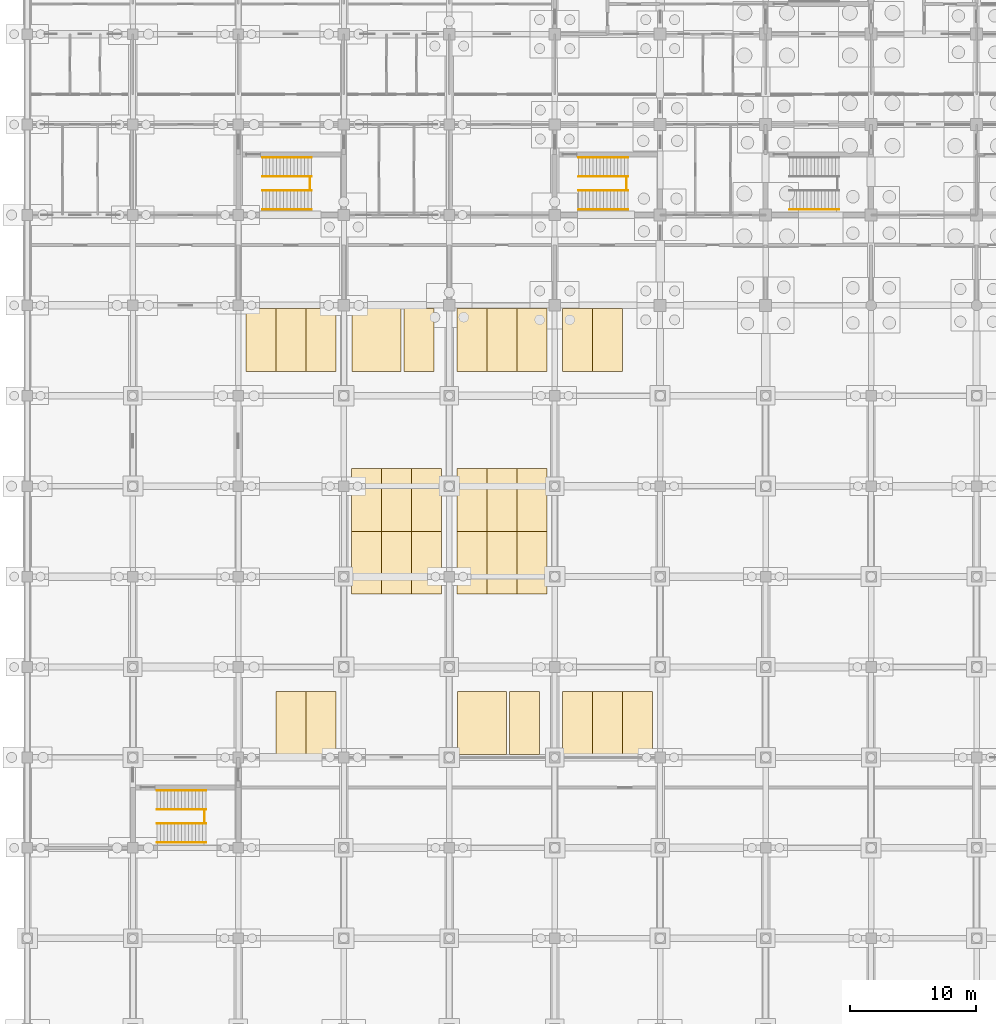
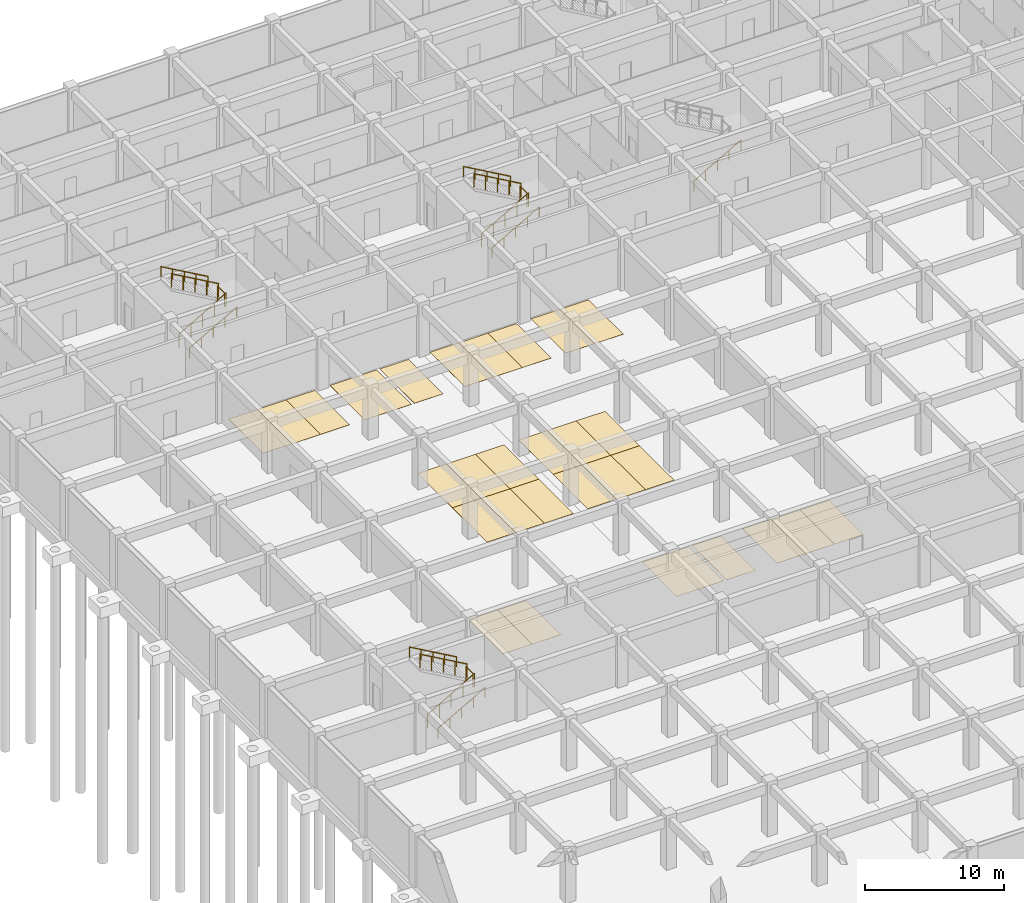
# One storey, part 82 of 85: 29 coverings, 16 railings.
"""IFC4 building model written with IfcOpenShell, lengths in metres."""

from ifc_helpers import new_model, si_unit, direction, frame, origin, origin_2d, place, context, subcontext, project, spatial, polyline, circle, outline, extrude, material, layer, layer_set, type_object, element, save


model = new_model("IFC4")

# Units and contexts
model_context = context("Model", 3, precision=1e-05, world=origin(), true_north=direction((0.0, 1.0)))
body_context = subcontext(model_context, "Body", "Model", "MODEL_VIEW")
ifc_project = project(units=[si_unit("LENGTHUNIT", "METRE"), si_unit("AREAUNIT", "SQUARE_METRE"), si_unit("VOLUMEUNIT", "CUBIC_METRE"), si_unit("PLANEANGLEUNIT", "RADIAN"), si_unit("MASSUNIT", "GRAM", prefix="KILO")], contexts=[model_context])

# Site, building, storey
site_placement = place(None, origin())
site = spatial("IfcSite", under=ifc_project, at=site_placement, CompositionType="ELEMENT")
building_placement = place(site_placement, origin())
building = spatial("IfcBuilding", under=site, at=building_placement, Name="Chengyuan Square Courthouse", CompositionType="ELEMENT")
storey_placement = place(building_placement, frame((0.0, 0.0, -10.199951171875)))
storey = spatial("IfcBuildingStorey", under=building, at=storey_placement, Name="B02", CompositionType="ELEMENT", Elevation=-10.199951171875)

# Coverings
ifc_material_1 = material(Name="Thermoplastic Parking Bay Marking Paint")
ifc_layer_1 = layer(ifc_material_1, 0.010009765625)
ifc_layer_set_1 = layer_set([ifc_layer_1], Name="Thermoplastic Parking Bay Marking Paint")
covering_type_1 = type_object("IfcCoveringType", Name="PKB-01", PredefinedType="FLOORING", material=ifc_layer_set_1)
covering_1_placement = place(storey_placement, origin())
element("IfcCovering", 1, at=covering_1_placement, inside=storey, type_object=covering_type_1, Name="Parking Bay Marking B02-P209", PredefinedType="FLOORING", context=body_context, shape_type="SweptSolid", body=[
    extrude(outline(polyline([(19.800048828125, 43.449951171875), (22.199951171875, 43.449951171875), (22.199951171875, 48.449951171875), (19.800048828125, 48.449951171875), (19.800048828125, 43.449951171875)])), origin(), (0.0, 0.0, 1.0), 0.010009765625),
])
covering_2_placement = place(storey_placement, origin())
element("IfcCovering", 2, at=covering_2_placement, inside=storey, type_object=covering_type_1, Name="Parking Bay Marking B02-P210", PredefinedType="FLOORING", context=body_context, shape_type="SweptSolid", body=[
    extrude(outline(polyline([(22.199951171875, 43.449951171875), (24.60009765625, 43.449951171875), (24.60009765625, 48.449951171875), (22.199951171875, 48.449951171875), (22.199951171875, 43.449951171875)])), origin(), (0.0, 0.0, 1.0), 0.010009765625),
])
covering_3_placement = place(storey_placement, origin())
element("IfcCovering", 3, at=covering_3_placement, inside=storey, type_object=covering_type_1, Name="Parking Bay Marking B02-P211", PredefinedType="FLOORING", context=body_context, shape_type="SweptSolid", body=[
    extrude(outline(polyline([(38.39990234375, 43.449951171875), (40.800048828125, 43.449951171875), (40.800048828125, 48.449951171875), (38.39990234375, 48.449951171875), (38.39990234375, 43.449951171875)])), origin(), (0.0, 0.0, 1.0), 0.010009765625),
])
covering_4_placement = place(storey_placement, origin())
element("IfcCovering", 4, at=covering_4_placement, inside=storey, type_object=covering_type_1, Name="Parking Bay Marking B02-P212", PredefinedType="FLOORING", context=body_context, shape_type="SweptSolid", body=[
    extrude(outline(polyline([(42.60009765625, 43.449951171875), (45.0, 43.449951171875), (45.0, 48.449951171875), (42.60009765625, 48.449951171875), (42.60009765625, 43.449951171875)])), origin(), (0.0, 0.0, 1.0), 0.010009765625),
])
covering_5_placement = place(storey_placement, origin())
element("IfcCovering", 5, at=covering_5_placement, inside=storey, type_object=covering_type_1, Name="Parking Bay Marking B02-P213", PredefinedType="FLOORING", context=body_context, shape_type="SweptSolid", body=[
    extrude(outline(polyline([(45.0, 43.449951171875), (47.39990234375, 43.449951171875), (47.39990234375, 48.449951171875), (45.0, 48.449951171875), (45.0, 43.449951171875)])), origin(), (0.0, 0.0, 1.0), 0.010009765625),
])
covering_6_placement = place(storey_placement, origin())
element("IfcCovering", 6, at=covering_6_placement, inside=storey, type_object=covering_type_1, Name="Parking Bay Marking B02-P214", PredefinedType="FLOORING", context=body_context, shape_type="SweptSolid", body=[
    extrude(outline(polyline([(47.39990234375, 43.449951171875), (49.800048828125, 43.449951171875), (49.800048828125, 48.449951171875), (47.39990234375, 48.449951171875), (47.39990234375, 43.449951171875)])), origin(), (0.0, 0.0, 1.0), 0.010009765625),
])
covering_7_placement = place(storey_placement, origin())
element("IfcCovering", 7, at=covering_7_placement, inside=storey, type_object=covering_type_1, Name="Parking Bay Marking B02-P215", PredefinedType="FLOORING", context=body_context, shape_type="SweptSolid", body=[
    extrude(outline(polyline([(17.39990234375, 73.949951171875), (19.800048828125, 73.949951171875), (19.800048828125, 78.949951171875), (17.39990234375, 78.949951171875), (17.39990234375, 73.949951171875)])), origin(), (0.0, 0.0, 1.0), 0.010009765625),
])
covering_8_placement = place(storey_placement, origin())
element("IfcCovering", 8, at=covering_8_placement, inside=storey, type_object=covering_type_1, Name="Parking Bay Marking B02-P216", PredefinedType="FLOORING", context=body_context, shape_type="SweptSolid", body=[
    extrude(outline(polyline([(19.800048828125, 73.949951171875), (22.199951171875, 73.949951171875), (22.199951171875, 78.949951171875), (19.800048828125, 78.949951171875), (19.800048828125, 73.949951171875)])), origin(), (0.0, 0.0, 1.0), 0.010009765625),
])
covering_9_placement = place(storey_placement, origin())
element("IfcCovering", 9, at=covering_9_placement, inside=storey, type_object=covering_type_1, Name="Parking Bay Marking B02-P217", PredefinedType="FLOORING", context=body_context, shape_type="SweptSolid", body=[
    extrude(outline(polyline([(22.199951171875, 73.949951171875), (24.60009765625, 73.949951171875), (24.60009765625, 78.949951171875), (22.199951171875, 78.949951171875), (22.199951171875, 73.949951171875)])), origin(), (0.0, 0.0, 1.0), 0.010009765625),
])
covering_10_placement = place(storey_placement, origin())
element("IfcCovering", 10, at=covering_10_placement, inside=storey, type_object=covering_type_1, Name="Parking Bay Marking B02-P218", PredefinedType="FLOORING", context=body_context, shape_type="SweptSolid", body=[
    extrude(outline(polyline([(30.0, 73.949951171875), (32.39990234375, 73.949951171875), (32.39990234375, 78.949951171875), (30.0, 78.949951171875), (30.0, 73.949951171875)])), origin(), (0.0, 0.0, 1.0), 0.010009765625),
])
covering_11_placement = place(storey_placement, origin())
element("IfcCovering", 11, at=covering_11_placement, inside=storey, type_object=covering_type_1, Name="Parking Bay Marking B02-P219", PredefinedType="FLOORING", context=body_context, shape_type="SweptSolid", body=[
    extrude(outline(polyline([(34.199951171875, 73.949951171875), (36.60009765625, 73.949951171875), (36.60009765625, 78.949951171875), (34.199951171875, 78.949951171875), (34.199951171875, 73.949951171875)])), origin(), (0.0, 0.0, 1.0), 0.010009765625),
])
covering_12_placement = place(storey_placement, origin())
element("IfcCovering", 12, at=covering_12_placement, inside=storey, type_object=covering_type_1, Name="Parking Bay Marking B02-P220", PredefinedType="FLOORING", context=body_context, shape_type="SweptSolid", body=[
    extrude(outline(polyline([(36.60009765625, 73.949951171875), (39.0, 73.949951171875), (39.0, 78.949951171875), (36.60009765625, 78.949951171875), (36.60009765625, 73.949951171875)])), origin(), (0.0, 0.0, 1.0), 0.010009765625),
])
covering_13_placement = place(storey_placement, origin())
element("IfcCovering", 13, at=covering_13_placement, inside=storey, type_object=covering_type_1, Name="Parking Bay Marking B02-P221", PredefinedType="FLOORING", context=body_context, shape_type="SweptSolid", body=[
    extrude(outline(polyline([(39.0, 73.949951171875), (41.39990234375, 73.949951171875), (41.39990234375, 78.949951171875), (39.0, 78.949951171875), (39.0, 73.949951171875)])), origin(), (0.0, 0.0, 1.0), 0.010009765625),
])
covering_14_placement = place(storey_placement, origin())
element("IfcCovering", 14, at=covering_14_placement, inside=storey, type_object=covering_type_1, Name="Parking Bay Marking B02-P222", PredefinedType="FLOORING", context=body_context, shape_type="SweptSolid", body=[
    extrude(outline(polyline([(42.60009765625, 73.949951171875), (45.0, 73.949951171875), (45.0, 78.949951171875), (42.60009765625, 78.949951171875), (42.60009765625, 73.949951171875)])), origin(), (0.0, 0.0, 1.0), 0.010009765625),
])
covering_15_placement = place(storey_placement, origin())
element("IfcCovering", 15, at=covering_15_placement, inside=storey, type_object=covering_type_1, Name="Parking Bay Marking B02-P223", PredefinedType="FLOORING", context=body_context, shape_type="SweptSolid", body=[
    extrude(outline(polyline([(45.0, 73.949951171875), (47.39990234375, 73.949951171875), (47.39990234375, 78.949951171875), (45.0, 78.949951171875), (45.0, 73.949951171875)])), origin(), (0.0, 0.0, 1.0), 0.010009765625),
])
covering_16_placement = place(storey_placement, origin())
element("IfcCovering", 16, at=covering_16_placement, inside=storey, type_object=covering_type_1, Name="Parking Bay Marking B02-P224", PredefinedType="FLOORING", context=body_context, shape_type="SweptSolid", body=[
    extrude(outline(polyline([(25.800048828125, 56.199951171875), (28.199951171875, 56.199951171875), (28.199951171875, 61.199951171875), (25.800048828125, 61.199951171875), (25.800048828125, 56.199951171875)])), origin(), (0.0, 0.0, 1.0), 0.010009765625),
])
covering_17_placement = place(storey_placement, origin())
element("IfcCovering", 17, at=covering_17_placement, inside=storey, type_object=covering_type_1, Name="Parking Bay Marking B02-P225", PredefinedType="FLOORING", context=body_context, shape_type="SweptSolid", body=[
    extrude(outline(polyline([(28.199951171875, 56.199951171875), (30.60009765625, 56.199951171875), (30.60009765625, 61.199951171875), (28.199951171875, 61.199951171875), (28.199951171875, 56.199951171875)])), origin(), (0.0, 0.0, 1.0), 0.010009765625),
])
covering_18_placement = place(storey_placement, origin())
element("IfcCovering", 18, at=covering_18_placement, inside=storey, type_object=covering_type_1, Name="Parking Bay Marking B02-P226", PredefinedType="FLOORING", context=body_context, shape_type="SweptSolid", body=[
    extrude(outline(polyline([(30.60009765625, 56.199951171875), (33.0, 56.199951171875), (33.0, 61.199951171875), (30.60009765625, 61.199951171875), (30.60009765625, 56.199951171875)])), origin(), (0.0, 0.0, 1.0), 0.010009765625),
])
covering_19_placement = place(storey_placement, origin())
element("IfcCovering", 19, at=covering_19_placement, inside=storey, type_object=covering_type_1, Name="Parking Bay Marking B02-P227", PredefinedType="FLOORING", context=body_context, shape_type="SweptSolid", body=[
    extrude(outline(polyline([(34.199951171875, 56.199951171875), (36.60009765625, 56.199951171875), (36.60009765625, 61.199951171875), (34.199951171875, 61.199951171875), (34.199951171875, 56.199951171875)])), origin(), (0.0, 0.0, 1.0), 0.010009765625),
])
covering_20_placement = place(storey_placement, origin())
element("IfcCovering", 20, at=covering_20_placement, inside=storey, type_object=covering_type_1, Name="Parking Bay Marking B02-P228", PredefinedType="FLOORING", context=body_context, shape_type="SweptSolid", body=[
    extrude(outline(polyline([(36.60009765625, 56.199951171875), (39.0, 56.199951171875), (39.0, 61.199951171875), (36.60009765625, 61.199951171875), (36.60009765625, 56.199951171875)])), origin(), (0.0, 0.0, 1.0), 0.010009765625),
])
covering_21_placement = place(storey_placement, origin())
element("IfcCovering", 21, at=covering_21_placement, inside=storey, type_object=covering_type_1, Name="Parking Bay Marking B02-P229", PredefinedType="FLOORING", context=body_context, shape_type="SweptSolid", body=[
    extrude(outline(polyline([(39.0, 56.199951171875), (41.39990234375, 56.199951171875), (41.39990234375, 61.199951171875), (39.0, 61.199951171875), (39.0, 56.199951171875)])), origin(), (0.0, 0.0, 1.0), 0.010009765625),
])
covering_22_placement = place(storey_placement, origin())
element("IfcCovering", 22, at=covering_22_placement, inside=storey, type_object=covering_type_1, Name="Parking Bay Marking B02-P230", PredefinedType="FLOORING", context=body_context, shape_type="SweptSolid", body=[
    extrude(outline(polyline([(25.800048828125, 61.199951171875), (28.199951171875, 61.199951171875), (28.199951171875, 66.199951171875), (25.800048828125, 66.199951171875), (25.800048828125, 61.199951171875)])), origin(), (0.0, 0.0, 1.0), 0.010009765625),
])
covering_23_placement = place(storey_placement, origin())
element("IfcCovering", 23, at=covering_23_placement, inside=storey, type_object=covering_type_1, Name="Parking Bay Marking B02-P231", PredefinedType="FLOORING", context=body_context, shape_type="SweptSolid", body=[
    extrude(outline(polyline([(28.199951171875, 61.199951171875), (30.60009765625, 61.199951171875), (30.60009765625, 66.199951171875), (28.199951171875, 66.199951171875), (28.199951171875, 61.199951171875)])), origin(), (0.0, 0.0, 1.0), 0.010009765625),
])
covering_24_placement = place(storey_placement, origin())
element("IfcCovering", 24, at=covering_24_placement, inside=storey, type_object=covering_type_1, Name="Parking Bay Marking B02-P232", PredefinedType="FLOORING", context=body_context, shape_type="SweptSolid", body=[
    extrude(outline(polyline([(30.60009765625, 61.199951171875), (33.0, 61.199951171875), (33.0, 66.199951171875), (30.60009765625, 66.199951171875), (30.60009765625, 61.199951171875)])), origin(), (0.0, 0.0, 1.0), 0.010009765625),
])
covering_25_placement = place(storey_placement, origin())
element("IfcCovering", 25, at=covering_25_placement, inside=storey, type_object=covering_type_1, Name="Parking Bay Marking B02-P233", PredefinedType="FLOORING", context=body_context, shape_type="SweptSolid", body=[
    extrude(outline(polyline([(34.199951171875, 61.199951171875), (36.60009765625, 61.199951171875), (36.60009765625, 66.199951171875), (34.199951171875, 66.199951171875), (34.199951171875, 61.199951171875)])), origin(), (0.0, 0.0, 1.0), 0.010009765625),
])
covering_26_placement = place(storey_placement, origin())
element("IfcCovering", 26, at=covering_26_placement, inside=storey, type_object=covering_type_1, Name="Parking Bay Marking B02-P234", PredefinedType="FLOORING", context=body_context, shape_type="SweptSolid", body=[
    extrude(outline(polyline([(36.60009765625, 61.199951171875), (39.0, 61.199951171875), (39.0, 66.199951171875), (36.60009765625, 66.199951171875), (36.60009765625, 61.199951171875)])), origin(), (0.0, 0.0, 1.0), 0.010009765625),
])
covering_27_placement = place(storey_placement, origin())
element("IfcCovering", 27, at=covering_27_placement, inside=storey, type_object=covering_type_1, Name="Parking Bay Marking B02-P235", PredefinedType="FLOORING", context=body_context, shape_type="SweptSolid", body=[
    extrude(outline(polyline([(39.0, 61.199951171875), (41.39990234375, 61.199951171875), (41.39990234375, 66.199951171875), (39.0, 66.199951171875), (39.0, 61.199951171875)])), origin(), (0.0, 0.0, 1.0), 0.010009765625),
])
ifc_material_2 = material(Name="Thermoplastic Accessible Parking Bay Marking Paint")
ifc_layer_2 = layer(ifc_material_2, 0.010009765625)
ifc_layer_set_2 = layer_set([ifc_layer_2], Name="Thermoplastic Accessible Parking Bay Marking Paint")
covering_type_2 = type_object("IfcCoveringType", Name="PKB-02", PredefinedType="FLOORING", material=ifc_layer_set_2)
covering_28_placement = place(storey_placement, origin())
element("IfcCovering", 28, at=covering_28_placement, inside=storey, type_object=covering_type_2, Name="Accessible Parking Bay Marking B02-AP13", PredefinedType="FLOORING", context=body_context, shape_type="SweptSolid", body=[
    extrude(outline(polyline([(34.25, 43.449951171875), (38.14990234375, 43.449951171875), (38.14990234375, 48.449951171875), (34.25, 48.449951171875), (34.25, 43.449951171875)])), origin(), (0.0, 0.0, 1.0), 0.010009765625),
])
covering_29_placement = place(storey_placement, origin())
element("IfcCovering", 29, at=covering_29_placement, inside=storey, type_object=covering_type_2, Name="Accessible Parking Bay Marking B02-AP14", PredefinedType="FLOORING", context=body_context, shape_type="SweptSolid", body=[
    extrude(outline(polyline([(25.85009765625, 73.949951171875), (29.75, 73.949951171875), (29.75, 78.949951171875), (25.85009765625, 78.949951171875), (25.85009765625, 73.949951171875)])), origin(), (0.0, 0.0, 1.0), 0.010009765625),
])

# Railings
ifc_material_3 = material(Name="Tempered Glass and Timber Top-Rail Balustrade", Category="wood")
railing_type_1 = type_object("IfcRailingType", Name="RL-02", PredefinedType="BALUSTRADE", material=ifc_material_3)
railing_1_placement = place(storey_placement, frame((47.7099609375, 88.39990234375, 2.39990234375)))
element("IfcRailing", 30, at=railing_1_placement, inside=storey, type_object=railing_type_1, Name="Stair Landing Guard ST-5-B02", PredefinedType="BALUSTRADE", context=body_context, shape_type="SweptSolid", body=[
    extrude(circle(Radius=0.02392578125, at=origin_2d()), frame((0.0, 0.0, 1.17578125), z_axis=(0.0, 1.0, 0.0), x_axis=(-1.0, 0.0, 0.0)), (0.0, 0.0, 1.0), 1.0),
    extrude(circle(Radius=0.02099609375, at=origin_2d()), origin(), (0.0, 0.0, 1.0), 1.15185546875),
    extrude(circle(Radius=0.02099609375, at=origin_2d()), frame((0.0, 1.0, 0.0)), (0.0, 0.0, 1.0), 1.15185546875),
])
railing_2_placement = place(storey_placement, frame((43.909912109375, 88.35009765625, 0.159912109375)))
element("IfcRailing", 31, at=railing_2_placement, inside=storey, type_object=railing_type_1, Name="Stair Flight 1 Guard ST-5-B02", PredefinedType="BALUSTRADE", context=body_context, shape_type="SweptSolid", body=[
    extrude(circle(Radius=0.02392578125, at=origin_2d()), frame((0.0, 0.0, 1.17578125), z_axis=(0.86825312469, 0.0, 0.496121468458), x_axis=(0.0, 1.0, 0.0)), (0.0, 0.0, 1.0), 4.514892578125),
    extrude(circle(Radius=0.02099609375, at=origin_2d()), origin(), (0.0, 0.0, 1.0), 1.15185546875),
    extrude(circle(Radius=0.02099609375, at=origin_2d()), frame((0.97998046875, 0.0, 0.56005859375)), (0.0, 0.0, 1.0), 1.15185546875),
    extrude(circle(Radius=0.02099609375, at=origin_2d()), frame((1.9599609375, 0.0, 1.1201171875)), (0.0, 0.0, 1.0), 1.15185546875),
    extrude(circle(Radius=0.02099609375, at=origin_2d()), frame((2.940185546875, 0.0, 1.679931640625)), (0.0, 0.0, 1.0), 1.15185546875),
    extrude(circle(Radius=0.02099609375, at=origin_2d()), frame((3.920166015625, 0.0, 2.239990234375)), (0.0, 0.0, 1.0), 1.15185546875),
])
railing_3_placement = place(storey_placement, frame((47.830078125, 89.449951171875, 2.56005859375)))
element("IfcRailing", 32, at=railing_3_placement, inside=storey, type_object=railing_type_1, Name="Stair Flight 2 Guard ST-5-B02", PredefinedType="BALUSTRADE", context=body_context, shape_type="SweptSolid", body=[
    extrude(circle(Radius=0.02392578125, at=origin_2d()), frame((0.0, 0.0, 1.17578125), z_axis=(-0.86825312469, 0.0, 0.496121468458), x_axis=(0.0, -1.0, 0.0)), (0.0, 0.0, 1.0), 4.514892578125),
    extrude(circle(Radius=0.02099609375, at=origin_2d()), origin(), (0.0, 0.0, 1.0), 1.15185546875),
    extrude(circle(Radius=0.02099609375, at=origin_2d()), frame((-0.97998046875, 0.0, 0.56005859375)), (0.0, 0.0, 1.0), 1.15185546875),
    extrude(circle(Radius=0.02099609375, at=origin_2d()), frame((-1.9599609375, 0.0, 1.1201171875)), (0.0, 0.0, 1.0), 1.15185546875),
    extrude(circle(Radius=0.02099609375, at=origin_2d()), frame((-2.940185546875, 0.0, 1.679931640625)), (0.0, 0.0, 1.0), 1.15185546875),
    extrude(circle(Radius=0.02099609375, at=origin_2d()), frame((-3.920166015625, 0.0, 2.239990234375)), (0.0, 0.0, 1.0), 1.15185546875),
])
railing_4_placement = place(storey_placement, frame((14.110107421875, 38.0, 2.39990234375)))
element("IfcRailing", 33, at=railing_4_placement, inside=storey, type_object=railing_type_1, Name="Stair Landing Guard ST-7-B02", PredefinedType="BALUSTRADE", context=body_context, shape_type="SweptSolid", body=[
    extrude(circle(Radius=0.02392578125, at=origin_2d()), frame((0.0, 0.0, 1.17578125), z_axis=(0.0, 1.0, 0.0), x_axis=(-1.0, 0.0, 0.0)), (0.0, 0.0, 1.0), 1.0),
    extrude(circle(Radius=0.02099609375, at=origin_2d()), origin(), (0.0, 0.0, 1.0), 1.15185546875),
    extrude(circle(Radius=0.02099609375, at=origin_2d()), frame((0.0, 1.0, 0.0)), (0.0, 0.0, 1.0), 1.15185546875),
])
railing_5_placement = place(storey_placement, frame((10.31005859375, 37.949951171875, 0.159912109375)))
element("IfcRailing", 34, at=railing_5_placement, inside=storey, type_object=railing_type_1, Name="Stair Flight 1 Guard ST-7-B02", PredefinedType="BALUSTRADE", context=body_context, shape_type="SweptSolid", body=[
    extrude(circle(Radius=0.02392578125, at=origin_2d()), frame((0.0, 0.0, 1.17578125), z_axis=(0.868239814368, 0.0, 0.496144761885), x_axis=(0.0, 1.0, 0.0)), (0.0, 0.0, 1.0), 4.514892578125),
    extrude(circle(Radius=0.02099609375, at=origin_2d()), origin(), (0.0, 0.0, 1.0), 1.15185546875),
    extrude(circle(Radius=0.02099609375, at=origin_2d()), frame((0.97998046875, 0.0, 0.56005859375)), (0.0, 0.0, 1.0), 1.15185546875),
    extrude(circle(Radius=0.02099609375, at=origin_2d()), frame((1.9599609375, 0.0, 1.1201171875)), (0.0, 0.0, 1.0), 1.15185546875),
    extrude(circle(Radius=0.02099609375, at=origin_2d()), frame((2.93994140625, 0.0, 1.679931640625)), (0.0, 0.0, 1.0), 1.15185546875),
    extrude(circle(Radius=0.02099609375, at=origin_2d()), frame((3.919921875, 0.0, 2.239990234375)), (0.0, 0.0, 1.0), 1.15185546875),
])
railing_6_placement = place(storey_placement, frame((14.22998046875, 39.050048828125, 2.56005859375)))
element("IfcRailing", 35, at=railing_6_placement, inside=storey, type_object=railing_type_1, Name="Stair Flight 2 Guard ST-7-B02", PredefinedType="BALUSTRADE", context=body_context, shape_type="SweptSolid", body=[
    extrude(circle(Radius=0.02392578125, at=origin_2d()), frame((0.0, 0.0, 1.17578125), z_axis=(-0.868239814368, 0.0, 0.496144761885), x_axis=(0.0, -1.0, 0.0)), (0.0, 0.0, 1.0), 4.514892578125),
    extrude(circle(Radius=0.02099609375, at=origin_2d()), origin(), (0.0, 0.0, 1.0), 1.15185546875),
    extrude(circle(Radius=0.02099609375, at=origin_2d()), frame((-0.97998046875, 0.0, 0.56005859375)), (0.0, 0.0, 1.0), 1.15185546875),
    extrude(circle(Radius=0.02099609375, at=origin_2d()), frame((-1.9599609375, 0.0, 1.1201171875)), (0.0, 0.0, 1.0), 1.15185546875),
    extrude(circle(Radius=0.02099609375, at=origin_2d()), frame((-2.93994140625, 0.0, 1.679931640625)), (0.0, 0.0, 1.0), 1.15185546875),
    extrude(circle(Radius=0.02099609375, at=origin_2d()), frame((-3.919921875, 0.0, 2.239990234375)), (0.0, 0.0, 1.0), 1.15185546875),
])
railing_7_placement = place(storey_placement, frame((22.510009765625, 88.39990234375, 2.39990234375)))
element("IfcRailing", 36, at=railing_7_placement, inside=storey, type_object=railing_type_1, Name="Stair Landing Guard ST-9-B02", PredefinedType="BALUSTRADE", context=body_context, shape_type="SweptSolid", body=[
    extrude(circle(Radius=0.02392578125, at=origin_2d()), frame((0.0, 0.0, 1.17578125), z_axis=(0.0, 1.0, 0.0), x_axis=(-1.0, 0.0, 0.0)), (0.0, 0.0, 1.0), 1.0),
    extrude(circle(Radius=0.02099609375, at=origin_2d()), origin(), (0.0, 0.0, 1.0), 1.15185546875),
    extrude(circle(Radius=0.02099609375, at=origin_2d()), frame((0.0, 1.0, 0.0)), (0.0, 0.0, 1.0), 1.15185546875),
])
railing_8_placement = place(storey_placement, frame((18.7099609375, 88.35009765625, 0.159912109375)))
element("IfcRailing", 37, at=railing_8_placement, inside=storey, type_object=railing_type_1, Name="Stair Flight 1 Guard ST-9-B02", PredefinedType="BALUSTRADE", context=body_context, shape_type="SweptSolid", body=[
    extrude(circle(Radius=0.02392578125, at=origin_2d()), frame((0.0, 0.0, 1.17578125), z_axis=(0.868239814368, 0.0, 0.496144761885), x_axis=(0.0, 1.0, 0.0)), (0.0, 0.0, 1.0), 4.514892578125),
    extrude(circle(Radius=0.02099609375, at=origin_2d()), origin(), (0.0, 0.0, 1.0), 1.15185546875),
    extrude(circle(Radius=0.02099609375, at=origin_2d()), frame((0.97998046875, 0.0, 0.56005859375)), (0.0, 0.0, 1.0), 1.15185546875),
    extrude(circle(Radius=0.02099609375, at=origin_2d()), frame((1.9599609375, 0.0, 1.1201171875)), (0.0, 0.0, 1.0), 1.15185546875),
    extrude(circle(Radius=0.02099609375, at=origin_2d()), frame((2.93994140625, 0.0, 1.679931640625)), (0.0, 0.0, 1.0), 1.15185546875),
    extrude(circle(Radius=0.02099609375, at=origin_2d()), frame((3.919921875, 0.0, 2.239990234375)), (0.0, 0.0, 1.0), 1.15185546875),
])
railing_9_placement = place(storey_placement, frame((22.6298828125, 89.449951171875, 2.56005859375)))
element("IfcRailing", 38, at=railing_9_placement, inside=storey, type_object=railing_type_1, Name="Stair Flight 2 Guard ST-9-B02", PredefinedType="BALUSTRADE", context=body_context, shape_type="SweptSolid", body=[
    extrude(circle(Radius=0.02392578125, at=origin_2d()), frame((0.0, 0.0, 1.17578125), z_axis=(-0.868239814368, 0.0, 0.496144761885), x_axis=(0.0, -1.0, 0.0)), (0.0, 0.0, 1.0), 4.514892578125),
    extrude(circle(Radius=0.02099609375, at=origin_2d()), origin(), (0.0, 0.0, 1.0), 1.15185546875),
    extrude(circle(Radius=0.02099609375, at=origin_2d()), frame((-0.97998046875, 0.0, 0.56005859375)), (0.0, 0.0, 1.0), 1.15185546875),
    extrude(circle(Radius=0.02099609375, at=origin_2d()), frame((-1.9599609375, 0.0, 1.1201171875)), (0.0, 0.0, 1.0), 1.15185546875),
    extrude(circle(Radius=0.02099609375, at=origin_2d()), frame((-2.93994140625, 0.0, 1.679931640625)), (0.0, 0.0, 1.0), 1.15185546875),
    extrude(circle(Radius=0.02099609375, at=origin_2d()), frame((-3.919921875, 0.0, 2.239990234375)), (0.0, 0.0, 1.0), 1.15185546875),
])
ifc_material_4 = material(Name="Stainless Steel S30408 Stair Handrail", Category="steel")
railing_type_2 = type_object("IfcRailingType", Name="RL-04", PredefinedType="HANDRAIL", material=ifc_material_4)
railing_10_placement = place(storey_placement, frame((60.7099609375, 86.820068359375, 0.159912109375)))
element("IfcRailing", 39, at=railing_10_placement, inside=storey, type_object=railing_type_2, Name="Stair Flight 1 Handrail ST-3-B02", PredefinedType="HANDRAIL", context=body_context, shape_type="SweptSolid", body=[
    extrude(circle(Radius=0.02392578125, at=origin_2d()), frame((0.0, 0.0, 0.8759765625), z_axis=(0.868239814368, 0.0, 0.496144761885), x_axis=(0.0, 1.0, 0.0)), (0.0, 0.0, 1.0), 4.514892578125),
    extrude(circle(Radius=0.02099609375, at=origin_2d()), origin(), (0.0, 0.0, 1.0), 0.851806640625),
    extrude(circle(Radius=0.02099609375, at=origin_2d()), frame((0.97998046875, 0.0, 0.56005859375)), (0.0, 0.0, 1.0), 0.851806640625),
    extrude(circle(Radius=0.02099609375, at=origin_2d()), frame((1.9599609375, 0.0, 1.1201171875)), (0.0, 0.0, 1.0), 0.851806640625),
    extrude(circle(Radius=0.02099609375, at=origin_2d()), frame((2.93994140625, 0.0, 1.679931640625)), (0.0, 0.0, 1.0), 0.851806640625),
    extrude(circle(Radius=0.02099609375, at=origin_2d()), frame((3.919921875, 0.0, 2.239990234375)), (0.0, 0.0, 1.0), 0.851806640625),
])
railing_11_placement = place(storey_placement, frame((43.909912109375, 86.820068359375, 0.159912109375)))
element("IfcRailing", 40, at=railing_11_placement, inside=storey, type_object=railing_type_2, Name="Stair Flight 1 Handrail ST-5-B02", PredefinedType="HANDRAIL", context=body_context, shape_type="SweptSolid", body=[
    extrude(circle(Radius=0.02392578125, at=origin_2d()), frame((0.0, 0.0, 0.8759765625), z_axis=(0.86825312469, 0.0, 0.496121468458), x_axis=(0.0, 1.0, 0.0)), (0.0, 0.0, 1.0), 4.514892578125),
    extrude(circle(Radius=0.02099609375, at=origin_2d()), origin(), (0.0, 0.0, 1.0), 0.851806640625),
    extrude(circle(Radius=0.02099609375, at=origin_2d()), frame((0.97998046875, 0.0, 0.56005859375)), (0.0, 0.0, 1.0), 0.851806640625),
    extrude(circle(Radius=0.02099609375, at=origin_2d()), frame((1.9599609375, 0.0, 1.1201171875)), (0.0, 0.0, 1.0), 0.851806640625),
    extrude(circle(Radius=0.02099609375, at=origin_2d()), frame((2.940185546875, 0.0, 1.679931640625)), (0.0, 0.0, 1.0), 0.851806640625),
    extrude(circle(Radius=0.02099609375, at=origin_2d()), frame((3.920166015625, 0.0, 2.239990234375)), (0.0, 0.0, 1.0), 0.851806640625),
])
railing_12_placement = place(storey_placement, frame((47.830078125, 90.97998046875, 2.56005859375)))
element("IfcRailing", 41, at=railing_12_placement, inside=storey, type_object=railing_type_2, Name="Stair Flight 2 Handrail ST-5-B02", PredefinedType="HANDRAIL", context=body_context, shape_type="SweptSolid", body=[
    extrude(circle(Radius=0.02392578125, at=origin_2d()), frame((0.0, 0.0, 0.8759765625), z_axis=(-0.86825312469, 0.0, 0.496121468458), x_axis=(0.0, -1.0, 0.0)), (0.0, 0.0, 1.0), 4.514892578125),
    extrude(circle(Radius=0.02099609375, at=origin_2d()), origin(), (0.0, 0.0, 1.0), 0.851806640625),
    extrude(circle(Radius=0.02099609375, at=origin_2d()), frame((-0.97998046875, 0.0, 0.56005859375)), (0.0, 0.0, 1.0), 0.851806640625),
    extrude(circle(Radius=0.02099609375, at=origin_2d()), frame((-1.9599609375, 0.0, 1.1201171875)), (0.0, 0.0, 1.0), 0.851806640625),
    extrude(circle(Radius=0.02099609375, at=origin_2d()), frame((-2.940185546875, 0.0, 1.679931640625)), (0.0, 0.0, 1.0), 0.851806640625),
    extrude(circle(Radius=0.02099609375, at=origin_2d()), frame((-3.920166015625, 0.0, 2.239990234375)), (0.0, 0.0, 1.0), 0.851806640625),
])
railing_13_placement = place(storey_placement, frame((10.31005859375, 36.419921875, 0.159912109375)))
element("IfcRailing", 42, at=railing_13_placement, inside=storey, type_object=railing_type_2, Name="Stair Flight 1 Handrail ST-7-B02", PredefinedType="HANDRAIL", context=body_context, shape_type="SweptSolid", body=[
    extrude(circle(Radius=0.02392578125, at=origin_2d()), frame((0.0, 0.0, 0.8759765625), z_axis=(0.868239814368, 0.0, 0.496144761885), x_axis=(0.0, 1.0, 0.0)), (0.0, 0.0, 1.0), 4.514892578125),
    extrude(circle(Radius=0.02099609375, at=origin_2d()), origin(), (0.0, 0.0, 1.0), 0.851806640625),
    extrude(circle(Radius=0.02099609375, at=origin_2d()), frame((0.97998046875, 0.0, 0.56005859375)), (0.0, 0.0, 1.0), 0.851806640625),
    extrude(circle(Radius=0.02099609375, at=origin_2d()), frame((1.9599609375, 0.0, 1.1201171875)), (0.0, 0.0, 1.0), 0.851806640625),
    extrude(circle(Radius=0.02099609375, at=origin_2d()), frame((2.93994140625, 0.0, 1.679931640625)), (0.0, 0.0, 1.0), 0.851806640625),
    extrude(circle(Radius=0.02099609375, at=origin_2d()), frame((3.919921875, 0.0, 2.239990234375)), (0.0, 0.0, 1.0), 0.851806640625),
])
railing_14_placement = place(storey_placement, frame((14.22998046875, 40.580078125, 2.56005859375)))
element("IfcRailing", 43, at=railing_14_placement, inside=storey, type_object=railing_type_2, Name="Stair Flight 2 Handrail ST-7-B02", PredefinedType="HANDRAIL", context=body_context, shape_type="SweptSolid", body=[
    extrude(circle(Radius=0.02392578125, at=origin_2d()), frame((0.0, 0.0, 0.8759765625), z_axis=(-0.868239814368, 0.0, 0.496144761885), x_axis=(0.0, -1.0, 0.0)), (0.0, 0.0, 1.0), 4.514892578125),
    extrude(circle(Radius=0.02099609375, at=origin_2d()), origin(), (0.0, 0.0, 1.0), 0.851806640625),
    extrude(circle(Radius=0.02099609375, at=origin_2d()), frame((-0.97998046875, 0.0, 0.56005859375)), (0.0, 0.0, 1.0), 0.851806640625),
    extrude(circle(Radius=0.02099609375, at=origin_2d()), frame((-1.9599609375, 0.0, 1.1201171875)), (0.0, 0.0, 1.0), 0.851806640625),
    extrude(circle(Radius=0.02099609375, at=origin_2d()), frame((-2.93994140625, 0.0, 1.679931640625)), (0.0, 0.0, 1.0), 0.851806640625),
    extrude(circle(Radius=0.02099609375, at=origin_2d()), frame((-3.919921875, 0.0, 2.239990234375)), (0.0, 0.0, 1.0), 0.851806640625),
])
railing_15_placement = place(storey_placement, frame((18.7099609375, 86.820068359375, 0.159912109375)))
element("IfcRailing", 44, at=railing_15_placement, inside=storey, type_object=railing_type_2, Name="Stair Flight 1 Handrail ST-9-B02", PredefinedType="HANDRAIL", context=body_context, shape_type="SweptSolid", body=[
    extrude(circle(Radius=0.02392578125, at=origin_2d()), frame((0.0, 0.0, 0.8759765625), z_axis=(0.868239814368, 0.0, 0.496144761885), x_axis=(0.0, 1.0, 0.0)), (0.0, 0.0, 1.0), 4.514892578125),
    extrude(circle(Radius=0.02099609375, at=origin_2d()), origin(), (0.0, 0.0, 1.0), 0.851806640625),
    extrude(circle(Radius=0.02099609375, at=origin_2d()), frame((0.97998046875, 0.0, 0.56005859375)), (0.0, 0.0, 1.0), 0.851806640625),
    extrude(circle(Radius=0.02099609375, at=origin_2d()), frame((1.9599609375, 0.0, 1.1201171875)), (0.0, 0.0, 1.0), 0.851806640625),
    extrude(circle(Radius=0.02099609375, at=origin_2d()), frame((2.93994140625, 0.0, 1.679931640625)), (0.0, 0.0, 1.0), 0.851806640625),
    extrude(circle(Radius=0.02099609375, at=origin_2d()), frame((3.919921875, 0.0, 2.239990234375)), (0.0, 0.0, 1.0), 0.851806640625),
])
railing_16_placement = place(storey_placement, frame((22.6298828125, 90.97998046875, 2.56005859375)))
element("IfcRailing", 45, at=railing_16_placement, inside=storey, type_object=railing_type_2, Name="Stair Flight 2 Handrail ST-9-B02", PredefinedType="HANDRAIL", context=body_context, shape_type="SweptSolid", body=[
    extrude(circle(Radius=0.02392578125, at=origin_2d()), frame((0.0, 0.0, 0.8759765625), z_axis=(-0.868239814368, 0.0, 0.496144761885), x_axis=(0.0, -1.0, 0.0)), (0.0, 0.0, 1.0), 4.514892578125),
    extrude(circle(Radius=0.02099609375, at=origin_2d()), origin(), (0.0, 0.0, 1.0), 0.851806640625),
    extrude(circle(Radius=0.02099609375, at=origin_2d()), frame((-0.97998046875, 0.0, 0.56005859375)), (0.0, 0.0, 1.0), 0.851806640625),
    extrude(circle(Radius=0.02099609375, at=origin_2d()), frame((-1.9599609375, 0.0, 1.1201171875)), (0.0, 0.0, 1.0), 0.851806640625),
    extrude(circle(Radius=0.02099609375, at=origin_2d()), frame((-2.93994140625, 0.0, 1.679931640625)), (0.0, 0.0, 1.0), 0.851806640625),
    extrude(circle(Radius=0.02099609375, at=origin_2d()), frame((-3.919921875, 0.0, 2.239990234375)), (0.0, 0.0, 1.0), 0.851806640625),
])

save(model, "model.ifc")
